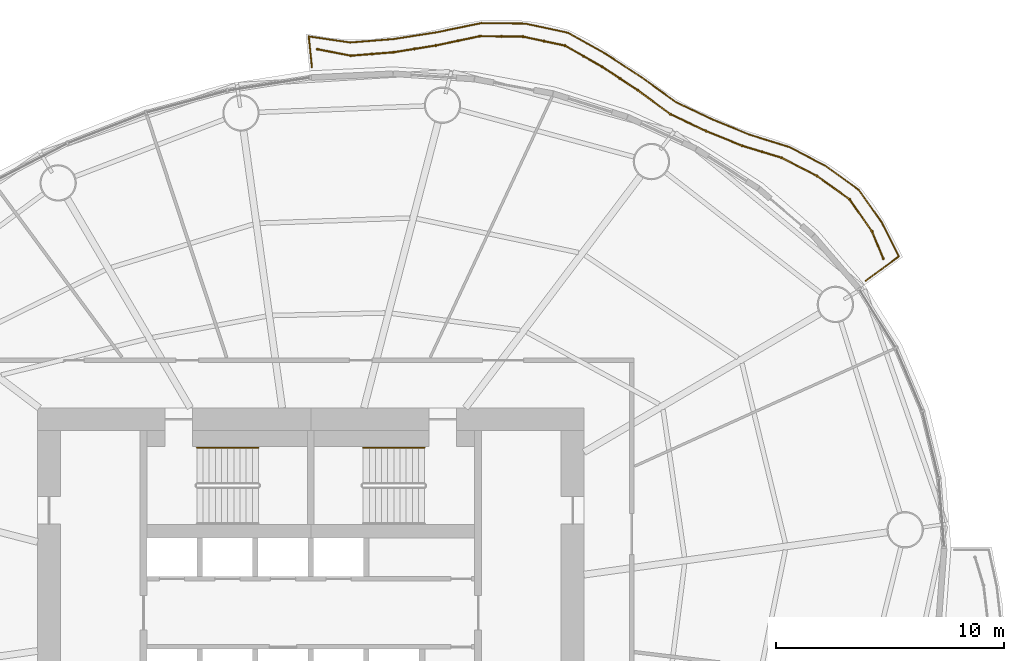
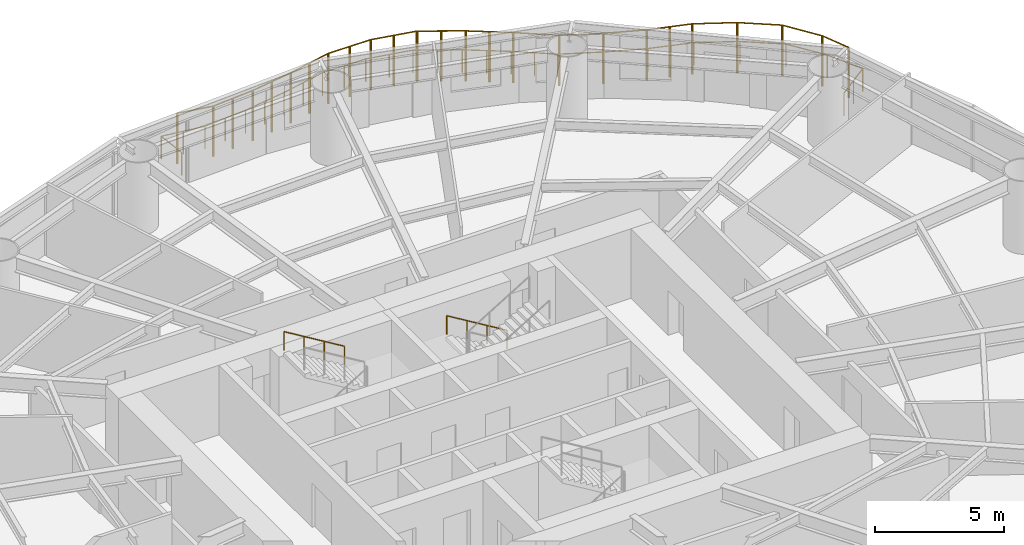
# One storey, part 14 of 14: 4 railings.
"""IFC4 building model written with IfcOpenShell, lengths in metres."""

from ifc_helpers import new_model, si_unit, direction, frame, origin, origin_2d, place, context, subcontext, project, spatial, circle, extrude, material, type_object, element, save


model = new_model("IFC4")

# Units and contexts
model_context = context("Model", 3, precision=1e-05, world=origin(), true_north=direction((0.0, 1.0)))
body_context = subcontext(model_context, "Body", "Model", "MODEL_VIEW")
ifc_project = project(units=[si_unit("LENGTHUNIT", "METRE"), si_unit("AREAUNIT", "SQUARE_METRE"), si_unit("VOLUMEUNIT", "CUBIC_METRE"), si_unit("PLANEANGLEUNIT", "RADIAN"), si_unit("MASSUNIT", "GRAM", prefix="KILO")], contexts=[model_context])

# Site, building, storey
site_placement = place(None, origin())
site = spatial("IfcSite", under=ifc_project, at=site_placement, CompositionType="ELEMENT")
building_placement = place(site_placement, origin())
building = spatial("IfcBuilding", under=site, at=building_placement, Name="Vermilion Reach Broadcast Tower", CompositionType="ELEMENT")
storey_placement = place(building_placement, frame((0.0, 0.0, 106.60009765625)))
storey = spatial("IfcBuildingStorey", under=building, at=storey_placement, Name="L24", CompositionType="ELEMENT", Elevation=106.60009765625)

# Railings
ifc_material_1 = material(Name="Terracotta baguette", Category="masonry")
railing_type_1 = type_object("IfcRailingType", Name="BAGUETTE SCREEN", PredefinedType="USERDEFINED", material=ifc_material_1)
railing_1_placement = place(storey_placement, frame((19.14404296875, 15.557861328125, 0.0)))
element("IfcRailing", 1, at=railing_1_placement, inside=storey, type_object=railing_type_1, Name="Baguette screen L24 group 1", ObjectType="BAGUETTE SCREEN", PredefinedType="USERDEFINED", context=body_context, shape_type="SweptSolid", body=[
    extrude(circle(Radius=0.030029296875, at=origin_2d()), frame((0.0, 0.0, 2.369873046875), z_axis=(-0.381044338991, 0.924556765008, 0.0), x_axis=(-0.924556765008, -0.381044338991, 0.0)), (0.0, 0.0, 1.0), 1.292236328125),
    extrude(circle(Radius=0.030029296875, at=origin_2d()), frame((-0.492431640625, 1.19482421875, 2.369873046875), z_axis=(-0.574051263855, 0.818819361316, 0.0), x_axis=(-0.818819361316, -0.574051263855, 0.0)), (0.0, 0.0, 1.0), 1.724609375),
    extrude(circle(Radius=0.030029296875, at=origin_2d()), frame((-1.482421875, 2.60693359375, 2.369873046875), z_axis=(-0.812482428171, 0.58298568071, 0.0), x_axis=(-0.58298568071, -0.812482428171, 0.0)), (0.0, 0.0, 1.0), 1.75634765625),
    extrude(circle(Radius=0.030029296875, at=origin_2d()), frame((-2.909423828125, 3.630859375, 2.369873046875), z_axis=(-0.889065710735, 0.457779599803, 0.0), x_axis=(-0.457779599803, -0.889065710735, 0.0)), (0.0, 0.0, 1.0), 1.7509765625),
    extrude(circle(Radius=0.030029296875, at=origin_2d()), frame((-4.466064453125, 4.432373046875, 2.369873046875), z_axis=(-0.956505410604, 0.291714585657, 0.0), x_axis=(-0.291714585657, -0.956505410604, 0.0)), (0.0, 0.0, 1.0), 1.809326171875),
    extrude(circle(Radius=0.030029296875, at=origin_2d()), frame((-6.19677734375, 4.960205078125, 2.369873046875), z_axis=(-0.926745976497, 0.375688561241, 0.0), x_axis=(-0.375688561241, -0.926745976497, 0.0)), (0.0, 0.0, 1.0), 1.71240234375),
    extrude(circle(Radius=0.030029296875, at=origin_2d()), frame((-7.78369140625, 5.603515625, 2.369873046875), z_axis=(-0.90377812862, 0.428001278302, 0.0), x_axis=(-0.428001278302, -0.90377812862, 0.0)), (0.0, 0.0, 1.0), 1.727294921875),
    extrude(circle(Radius=0.030029296875, at=origin_2d()), frame((-9.3447265625, 6.3427734375, 2.369873046875), z_axis=(-0.806796415953, 0.590829538197, 0.0), x_axis=(-0.590829538197, -0.806796415953, 0.0)), (0.0, 0.0, 1.0), 1.783935546875),
    extrude(circle(Radius=0.030029296875, at=origin_2d()), frame((-10.783935546875, 7.396728515625, 2.369873046875), z_axis=(-0.834258977919, 0.551372793817, 0.0), x_axis=(-0.551372793817, -0.834258977919, 0.0)), (0.0, 0.0, 1.0), 1.864990234375),
    extrude(circle(Radius=0.030029296875, at=origin_2d()), frame((-12.33984375, 8.425048828125, 2.369873046875), z_axis=(-0.869783465058, 0.493433606386, 0.0), x_axis=(-0.493433606386, -0.869783465058, 0.0)), (0.0, 0.0, 1.0), 1.88720703125),
    extrude(circle(Radius=0.030029296875, at=origin_2d()), frame((-13.981201171875, 9.356201171875, 2.369873046875), z_axis=(-0.977743695778, 0.209802920301, 0.0), x_axis=(-0.209802920301, -0.977743695778, 0.0)), (0.0, 0.0, 1.0), 1.887451171875),
    extrude(circle(Radius=0.030029296875, at=origin_2d()), frame((-15.82666015625, 9.752197265625, 2.369873046875), z_axis=(-0.999952006951, 0.009797131949, 0.0), x_axis=(-0.009797131949, -0.999952006951, 0.0)), (0.0, 0.0, 1.0), 1.893798828125),
    extrude(circle(Radius=0.030029296875, at=origin_2d()), frame((-17.720458984375, 9.770751953125, 2.369873046875), z_axis=(-0.978298677423, -0.207199656736, 0.0), x_axis=(0.207199656736, -0.978298677423, 0.0)), (0.0, 0.0, 1.0), 1.97607421875),
    extrude(circle(Radius=0.030029296875, at=origin_2d()), frame((-19.653564453125, 9.361328125, 2.369873046875), z_axis=(-0.987389858667, -0.15830750772, 0.0), x_axis=(0.15830750772, -0.987389858667, 0.0)), (0.0, 0.0, 1.0), 1.892333984375),
    extrude(circle(Radius=0.030029296875, at=origin_2d()), frame((-21.52197265625, 9.061767578125, 2.369873046875), z_axis=(-0.996881186305, -0.078917047538, 0.0), x_axis=(0.078917047538, -0.996881186305, 0.0)), (0.0, 0.0, 1.0), 1.874755859375),
    extrude(circle(Radius=0.030029296875, at=origin_2d()), frame((-23.390869140625, 8.913818359375, 2.369873046875), z_axis=(-0.981637692549, 0.190754922788, 0.0), x_axis=(-0.190754922788, -0.981637692549, 0.0)), (0.0, 0.0, 1.0), 1.480712890625),
    extrude(circle(Radius=0.050048828125, at=origin_2d()), origin(), (0.0, 0.0, 1.0), 2.33984375),
    extrude(circle(Radius=0.050048828125, at=origin_2d()), frame((-0.492431640625, 1.19482421875, 0.0)), (0.0, 0.0, 1.0), 2.33984375),
    extrude(circle(Radius=0.050048828125, at=origin_2d()), frame((-1.482421875, 2.60693359375, 0.0)), (0.0, 0.0, 1.0), 2.33984375),
    extrude(circle(Radius=0.050048828125, at=origin_2d()), frame((-2.909423828125, 3.630859375, 0.0)), (0.0, 0.0, 1.0), 2.33984375),
    extrude(circle(Radius=0.050048828125, at=origin_2d()), frame((-4.466064453125, 4.432373046875, 0.0)), (0.0, 0.0, 1.0), 2.33984375),
    extrude(circle(Radius=0.050048828125, at=origin_2d()), frame((-5.33154296875, 4.6962890625, 0.0)), (0.0, 0.0, 1.0), 2.33984375),
    extrude(circle(Radius=0.050048828125, at=origin_2d()), frame((-6.19677734375, 4.960205078125, 0.0)), (0.0, 0.0, 1.0), 2.33984375),
    extrude(circle(Radius=0.050048828125, at=origin_2d()), frame((-7.78369140625, 5.603515625, 0.0)), (0.0, 0.0, 1.0), 2.33984375),
    extrude(circle(Radius=0.050048828125, at=origin_2d()), frame((-9.3447265625, 6.3427734375, 0.0)), (0.0, 0.0, 1.0), 2.33984375),
    extrude(circle(Radius=0.050048828125, at=origin_2d()), frame((-10.783935546875, 7.396728515625, 0.0)), (0.0, 0.0, 1.0), 2.33984375),
    extrude(circle(Radius=0.050048828125, at=origin_2d()), frame((-11.56201171875, 7.910888671875, 0.0)), (0.0, 0.0, 1.0), 2.33984375),
    extrude(circle(Radius=0.050048828125, at=origin_2d()), frame((-12.33984375, 8.425048828125, 0.0)), (0.0, 0.0, 1.0), 2.33984375),
    extrude(circle(Radius=0.050048828125, at=origin_2d()), frame((-13.16064453125, 8.890625, 0.0)), (0.0, 0.0, 1.0), 2.33984375),
    extrude(circle(Radius=0.050048828125, at=origin_2d()), frame((-13.981201171875, 9.356201171875, 0.0)), (0.0, 0.0, 1.0), 2.33984375),
    extrude(circle(Radius=0.050048828125, at=origin_2d()), frame((-14.90380859375, 9.55419921875, 0.0)), (0.0, 0.0, 1.0), 2.33984375),
    extrude(circle(Radius=0.050048828125, at=origin_2d()), frame((-15.82666015625, 9.752197265625, 0.0)), (0.0, 0.0, 1.0), 2.33984375),
    extrude(circle(Radius=0.050048828125, at=origin_2d()), frame((-16.7734375, 9.761474609375, 0.0)), (0.0, 0.0, 1.0), 2.33984375),
    extrude(circle(Radius=0.050048828125, at=origin_2d()), frame((-17.720458984375, 9.770751953125, 0.0)), (0.0, 0.0, 1.0), 2.33984375),
    extrude(circle(Radius=0.050048828125, at=origin_2d()), frame((-18.68701171875, 9.56591796875, 0.0)), (0.0, 0.0, 1.0), 2.33984375),
    extrude(circle(Radius=0.050048828125, at=origin_2d()), frame((-19.653564453125, 9.361328125, 0.0)), (0.0, 0.0, 1.0), 2.33984375),
    extrude(circle(Radius=0.050048828125, at=origin_2d()), frame((-20.587890625, 9.21142578125, 0.0)), (0.0, 0.0, 1.0), 2.33984375),
    extrude(circle(Radius=0.050048828125, at=origin_2d()), frame((-21.52197265625, 9.061767578125, 0.0)), (0.0, 0.0, 1.0), 2.33984375),
    extrude(circle(Radius=0.050048828125, at=origin_2d()), frame((-22.45654296875, 8.98779296875, 0.0)), (0.0, 0.0, 1.0), 2.33984375),
    extrude(circle(Radius=0.050048828125, at=origin_2d()), frame((-23.390869140625, 8.913818359375, 0.0)), (0.0, 0.0, 1.0), 2.33984375),
    extrude(circle(Radius=0.050048828125, at=origin_2d()), frame((-24.844482421875, 9.1962890625, 0.0)), (0.0, 0.0, 1.0), 2.33984375),
])
ifc_material_2 = material(Name="Stainless steel 316 balustrade", Category="steel")
railing_type_2 = type_object("IfcRailingType", Name="Balcony guard 1100", PredefinedType="BALUSTRADE", material=ifc_material_2)
railing_2_placement = place(storey_placement, frame((18.3701171875, 14.580810546875, 0.0)))
element("IfcRailing", 2, at=railing_2_placement, inside=storey, type_object=railing_type_2, Name="Balcony guard L24 group 1", PredefinedType="BALUSTRADE", context=body_context, shape_type="SweptSolid", body=[
    extrude(circle(Radius=0.02490234375, at=origin_2d()), frame((0.0, 0.0, 1.0751953125), z_axis=(0.805812111497, 0.592171293601, 0.0), x_axis=(-0.592171293601, 0.805812111497, 0.0)), (0.0, 0.0, 1.0), 1.807861328125),
    extrude(circle(Radius=0.02490234375, at=origin_2d()), frame((1.456787109375, 1.070556640625, 1.0751953125), z_axis=(-0.445203586036, 0.895429375764, 0.0), x_axis=(-0.895429375764, -0.445203586036, 0.0)), (0.0, 0.0, 1.0), 1.65283203125),
    extrude(circle(Radius=0.02490234375, at=origin_2d()), frame((0.720947265625, 2.550537109375, 1.0751953125), z_axis=(-0.576878429463, 0.81683001758, 0.0), x_axis=(-0.81683001758, -0.576878429463, 0.0)), (0.0, 0.0, 1.0), 1.767333984375),
    extrude(circle(Radius=0.02490234375, at=origin_2d()), frame((-0.298583984375, 3.994140625, 1.0751953125), z_axis=(-0.81065060181, 0.585530188619, 0.0), x_axis=(-0.585530188619, -0.81065060181, 0.0)), (0.0, 0.0, 1.0), 1.799072265625),
    extrude(circle(Radius=0.02490234375, at=origin_2d()), frame((-1.757080078125, 5.047607421875, 1.0751953125), z_axis=(-0.887002479984, 0.461764659217, 0.0), x_axis=(-0.461764659217, -0.887002479984, 0.0)), (0.0, 0.0, 1.0), 1.791259765625),
    extrude(circle(Radius=0.02490234375, at=origin_2d()), frame((-3.345947265625, 5.874755859375, 1.0751953125), z_axis=(-0.954508170999, 0.298184760669, 0.0), x_axis=(-0.298184760669, -0.954508170999, 0.0)), (0.0, 0.0, 1.0), 1.8486328125),
    extrude(circle(Radius=0.02490234375, at=origin_2d()), frame((-5.110595703125, 6.426025390625, 1.0751953125), z_axis=(-0.925475872263, 0.378806559948, 0.0), x_axis=(-0.378806559948, -0.925475872263, 0.0)), (0.0, 0.0, 1.0), 1.751220703125),
    extrude(circle(Radius=0.02490234375, at=origin_2d()), frame((-6.731201171875, 7.08935546875, 1.0751953125), z_axis=(-0.903495666083, 0.428597225107, 0.0), x_axis=(-0.428597225107, -0.903495666083, 0.0)), (0.0, 0.0, 1.0), 1.766357421875),
    extrude(circle(Radius=0.02490234375, at=origin_2d()), frame((-8.3271484375, 7.846435546875, 1.0751953125), z_axis=(-0.809616817471, 0.586958779531, 0.0), x_axis=(-0.586958779531, -0.809616817471, 0.0)), (0.0, 0.0, 1.0), 1.820068359375),
    extrude(circle(Radius=0.02490234375, at=origin_2d()), frame((-9.80078125, 8.914794921875, 1.0751953125), z_axis=(-0.836917576526, 0.547328941408, 0.0), x_axis=(-0.547328941408, -0.836917576526, 0.0)), (0.0, 0.0, 1.0), 1.901123046875),
    extrude(circle(Radius=0.02490234375, at=origin_2d()), frame((-11.391845703125, 9.955322265625, 1.0751953125), z_axis=(-0.871924789679, 0.489639827979, 0.0), x_axis=(-0.489639827979, -0.871924789679, 0.0)), (0.0, 0.0, 1.0), 1.921630859375),
    extrude(circle(Radius=0.02490234375, at=origin_2d()), frame((-13.0673828125, 10.896240234375, 1.0751953125), z_axis=(-0.977724301736, 0.209893281918, 0.0), x_axis=(-0.209893281918, -0.977724301736, 0.0)), (0.0, 0.0, 1.0), 1.922607421875),
    extrude(circle(Radius=0.02490234375, at=origin_2d()), frame((-14.947265625, 11.2998046875, 1.0751953125), z_axis=(-0.999924532487, 0.012285329911, 0.0), x_axis=(-0.012285329911, -0.999924532487, 0.0)), (0.0, 0.0, 1.0), 1.927734375),
    extrude(circle(Radius=0.02490234375, at=origin_2d()), frame((-16.874755859375, 11.323486328125, 1.0751953125), z_axis=(-0.979326901659, -0.202284007493, 0.0), x_axis=(0.202284007493, -0.979326901659, 0.0)), (0.0, 0.0, 1.0), 2.00830078125),
    extrude(circle(Radius=0.02490234375, at=origin_2d()), frame((-18.841552734375, 10.917236328125, 1.0751953125), z_axis=(-0.987909622594, -0.15503089236, 0.0), x_axis=(0.15503089236, -0.987909622594, 0.0)), (0.0, 0.0, 1.0), 1.92431640625),
    extrude(circle(Radius=0.02490234375, at=origin_2d()), frame((-20.74267578125, 10.618896484375, 1.0751953125), z_axis=(-0.996957325247, -0.077949288879, 0.0), x_axis=(0.077949288879, -0.996957325247, 0.0)), (0.0, 0.0, 1.0), 1.907470703125),
    extrude(circle(Radius=0.02490234375, at=origin_2d()), frame((-22.644287109375, 10.47021484375, 1.0751953125), z_axis=(-0.989554354102, 0.144160259012, 0.0), x_axis=(-0.144160259012, -0.989554354102, 0.0)), (0.0, 0.0, 1.0), 1.833984375),
    extrude(circle(Radius=0.02490234375, at=origin_2d()), frame((-24.459228515625, 10.734619140625, 1.0751953125), z_axis=(0.101669419904, -0.994818239206, 0.0), x_axis=(0.994818239206, 0.101669419904, 0.0)), (0.0, 0.0, 1.0), 1.361572265625),
    extrude(circle(Radius=0.02490234375, at=origin_2d()), origin(), (0.0, 0.0, 1.0), 1.050048828125),
    extrude(circle(Radius=0.02490234375, at=origin_2d()), frame((0.728515625, 0.53515625, 0.0)), (0.0, 0.0, 1.0), 1.050048828125),
    extrude(circle(Radius=0.02490234375, at=origin_2d()), frame((1.456787109375, 1.070556640625, 0.0)), (0.0, 0.0, 1.0), 1.050048828125),
    extrude(circle(Radius=0.02490234375, at=origin_2d()), frame((0.720947265625, 2.550537109375, 0.0)), (0.0, 0.0, 1.0), 1.050048828125),
    extrude(circle(Radius=0.02490234375, at=origin_2d()), frame((-0.298583984375, 3.994140625, 0.0)), (0.0, 0.0, 1.0), 1.050048828125),
    extrude(circle(Radius=0.02490234375, at=origin_2d()), frame((-1.757080078125, 5.047607421875, 0.0)), (0.0, 0.0, 1.0), 1.050048828125),
    extrude(circle(Radius=0.02490234375, at=origin_2d()), frame((-3.345947265625, 5.874755859375, 0.0)), (0.0, 0.0, 1.0), 1.050048828125),
    extrude(circle(Radius=0.02490234375, at=origin_2d()), frame((-4.228271484375, 6.150390625, 0.0)), (0.0, 0.0, 1.0), 1.050048828125),
    extrude(circle(Radius=0.02490234375, at=origin_2d()), frame((-5.110595703125, 6.426025390625, 0.0)), (0.0, 0.0, 1.0), 1.050048828125),
    extrude(circle(Radius=0.02490234375, at=origin_2d()), frame((-6.731201171875, 7.08935546875, 0.0)), (0.0, 0.0, 1.0), 1.050048828125),
    extrude(circle(Radius=0.02490234375, at=origin_2d()), frame((-8.3271484375, 7.846435546875, 0.0)), (0.0, 0.0, 1.0), 1.050048828125),
    extrude(circle(Radius=0.02490234375, at=origin_2d()), frame((-9.06396484375, 8.380615234375, 0.0)), (0.0, 0.0, 1.0), 1.050048828125),
    extrude(circle(Radius=0.02490234375, at=origin_2d()), frame((-9.80078125, 8.914794921875, 0.0)), (0.0, 0.0, 1.0), 1.050048828125),
    extrude(circle(Radius=0.02490234375, at=origin_2d()), frame((-10.59619140625, 9.43505859375, 0.0)), (0.0, 0.0, 1.0), 1.050048828125),
    extrude(circle(Radius=0.02490234375, at=origin_2d()), frame((-11.391845703125, 9.955322265625, 0.0)), (0.0, 0.0, 1.0), 1.050048828125),
    extrude(circle(Radius=0.02490234375, at=origin_2d()), frame((-12.2294921875, 10.42578125, 0.0)), (0.0, 0.0, 1.0), 1.050048828125),
    extrude(circle(Radius=0.02490234375, at=origin_2d()), frame((-13.0673828125, 10.896240234375, 0.0)), (0.0, 0.0, 1.0), 1.050048828125),
    extrude(circle(Radius=0.02490234375, at=origin_2d()), frame((-14.00732421875, 11.09814453125, 0.0)), (0.0, 0.0, 1.0), 1.050048828125),
    extrude(circle(Radius=0.02490234375, at=origin_2d()), frame((-14.947265625, 11.2998046875, 0.0)), (0.0, 0.0, 1.0), 1.050048828125),
    extrude(circle(Radius=0.02490234375, at=origin_2d()), frame((-15.9111328125, 11.3115234375, 0.0)), (0.0, 0.0, 1.0), 1.050048828125),
    extrude(circle(Radius=0.02490234375, at=origin_2d()), frame((-16.874755859375, 11.323486328125, 0.0)), (0.0, 0.0, 1.0), 1.050048828125),
    extrude(circle(Radius=0.02490234375, at=origin_2d()), frame((-17.858154296875, 11.120361328125, 0.0)), (0.0, 0.0, 1.0), 1.050048828125),
    extrude(circle(Radius=0.02490234375, at=origin_2d()), frame((-18.841552734375, 10.917236328125, 0.0)), (0.0, 0.0, 1.0), 1.050048828125),
    extrude(circle(Radius=0.02490234375, at=origin_2d()), frame((-19.7919921875, 10.76806640625, 0.0)), (0.0, 0.0, 1.0), 1.050048828125),
    extrude(circle(Radius=0.02490234375, at=origin_2d()), frame((-20.74267578125, 10.618896484375, 0.0)), (0.0, 0.0, 1.0), 1.050048828125),
    extrude(circle(Radius=0.02490234375, at=origin_2d()), frame((-21.693359375, 10.54443359375, 0.0)), (0.0, 0.0, 1.0), 1.050048828125),
    extrude(circle(Radius=0.02490234375, at=origin_2d()), frame((-22.644287109375, 10.47021484375, 0.0)), (0.0, 0.0, 1.0), 1.050048828125),
    extrude(circle(Radius=0.02490234375, at=origin_2d()), frame((-23.5517578125, 10.6025390625, 0.0)), (0.0, 0.0, 1.0), 1.050048828125),
    extrude(circle(Radius=0.02490234375, at=origin_2d()), frame((-24.459228515625, 10.734619140625, 0.0)), (0.0, 0.0, 1.0), 1.050048828125),
    extrude(circle(Radius=0.02490234375, at=origin_2d()), frame((-24.32080078125, 9.380126953125, 0.0)), (0.0, 0.0, 1.0), 1.050048828125),
])
ifc_material_3 = material(Name="Stainless steel", Category="steel")
railing_type_3 = type_object("IfcRailingType", Name="Stair handrail", PredefinedType="HANDRAIL", material=ifc_material_3)
for number, where, name in (
    (3, (-8.300048828125, 7.25, 1.963623046875), "L24 ST1 stair handrail 2"),
    (4, (-1.0, 7.25, 0.16357421875), "L24 ST2 stair handrail 1"),
):
    element("IfcRailing", number, at=place(storey_placement, frame(where)), inside=storey, type_object=railing_type_3, Name=name, PredefinedType="HANDRAIL", context=body_context, shape_type="SweptSolid", body=[
        extrude(circle(Radius=0.02392578125, at=origin_2d()), frame((0.0, 0.0, 0.8759765625), z_axis=(-0.855212373127, 0.0, 0.518277721738), x_axis=(0.0, -1.0, 0.0)), (0.0, 0.0, 1.0), 3.156982421875),
        extrude(circle(Radius=0.02099609375, at=origin_2d()), origin(), (0.0, 0.0, 1.0), 0.851806640625),
        extrude(circle(Radius=0.02099609375, at=origin_2d()), frame((-0.89990234375, 0.0, 0.54541015625)), (0.0, 0.0, 1.0), 0.851806640625),
        extrude(circle(Radius=0.02099609375, at=origin_2d()), frame((-1.800048828125, 0.0, 1.0908203125)), (0.0, 0.0, 1.0), 0.851806640625),
        extrude(circle(Radius=0.02099609375, at=origin_2d()), frame((-2.699951171875, 0.0, 1.63623046875)), (0.0, 0.0, 1.0), 0.851806640625),
    ])

save(model, "model.ifc")
